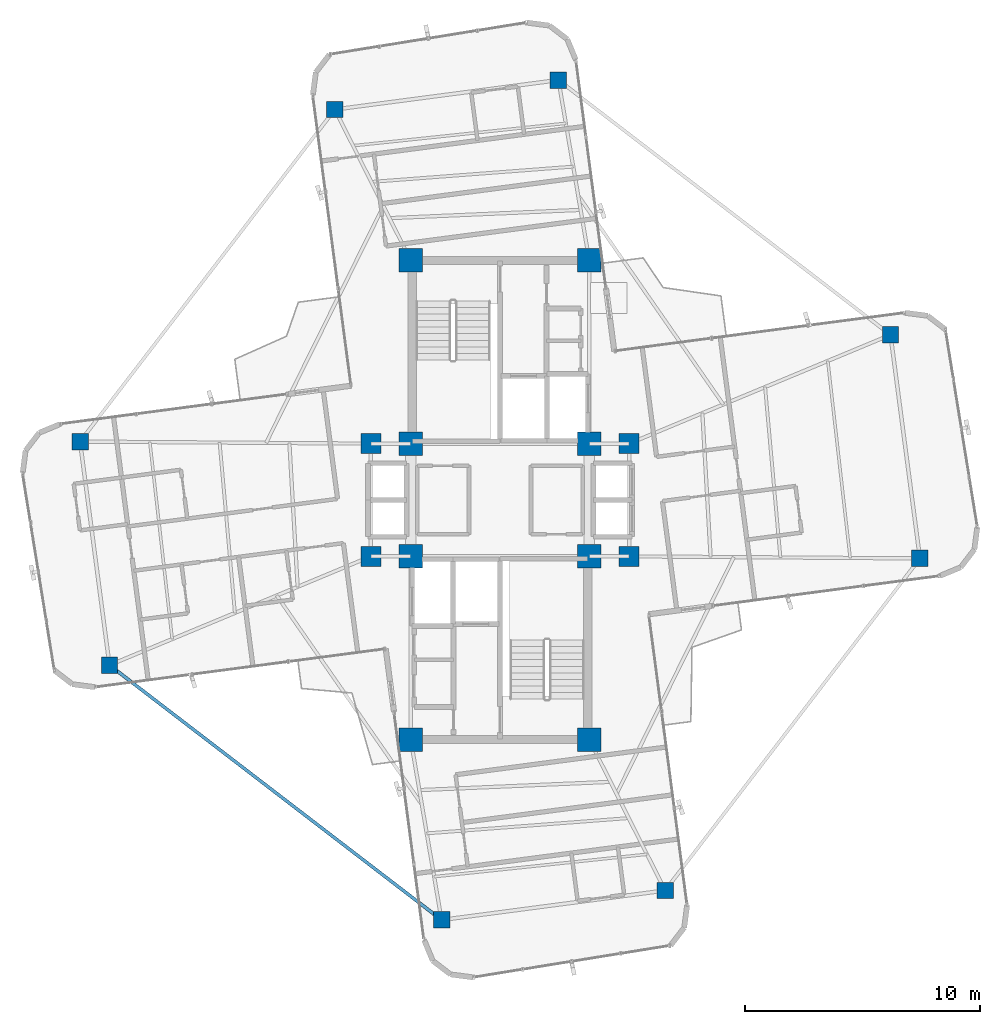
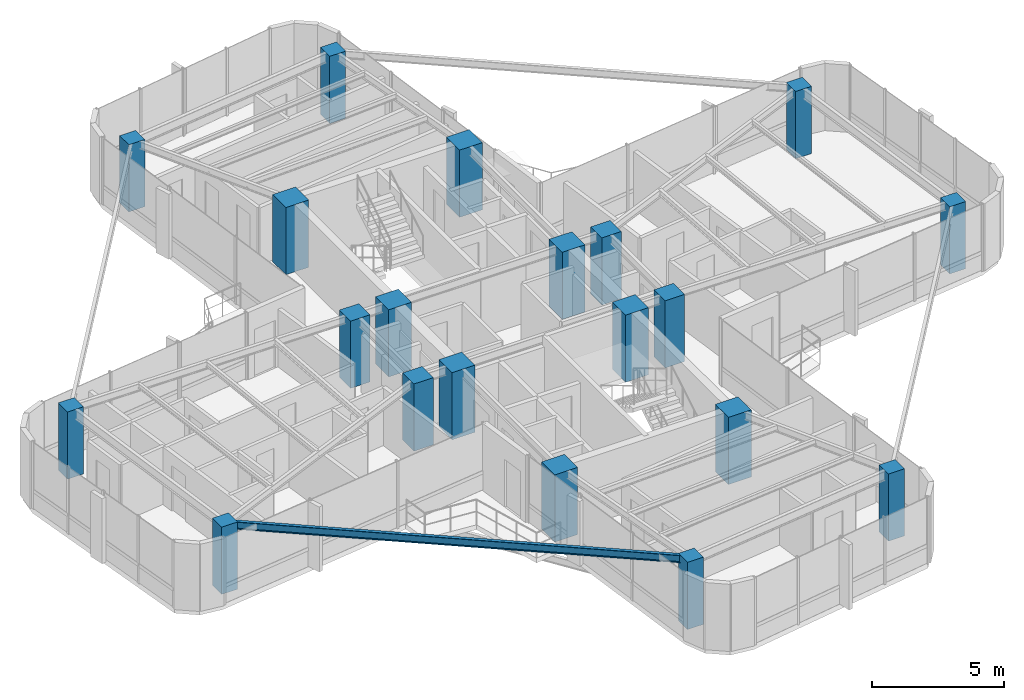
# One storey, part 1 of 21: 20 columns, 1 beam.
"""IFC4 building model written with IfcOpenShell, lengths in metres."""

from ifc_helpers import new_model, si_unit, direction, frame, origin, origin_2d, place, context, subcontext, project, spatial, rectangle, i_section, extrude, source, transform, mapped, material, material_profile, profile_set, type_object, element, save


model = new_model("IFC4")

# Units and contexts
model_context = context("Model", 3, precision=1e-05, world=origin(), true_north=direction((0.0, 1.0)))
body_context = subcontext(model_context, "Body", "Model", "MODEL_VIEW")
ifc_project = project(units=[si_unit("LENGTHUNIT", "METRE"), si_unit("AREAUNIT", "SQUARE_METRE"), si_unit("VOLUMEUNIT", "CUBIC_METRE"), si_unit("PLANEANGLEUNIT", "RADIAN"), si_unit("MASSUNIT", "GRAM", prefix="KILO")], contexts=[model_context])

# Site, building, storey
site_placement = place(None, origin())
site = spatial("IfcSite", under=ifc_project, at=site_placement, CompositionType="ELEMENT")
building_placement = place(site_placement, origin())
building = spatial("IfcBuilding", under=site, at=building_placement, Name="Sahyath Konkavel Grand Hotel", CompositionType="ELEMENT")
storey_placement = place(building_placement, frame((0.0, 0.0, 209.85009765625)))
storey = spatial("IfcBuildingStorey", under=building, at=storey_placement, Name="L58", CompositionType="ELEMENT", Elevation=209.85009765625)

# Columns
ifc_material_1 = material(Name="Concrete C50/60", Category="concrete")
ifc_material_profile_1 = material_profile(ifc_material_1, rectangle(XDim=1.0, YDim=1.0, at=origin_2d()), Name="RC 1000x1000")
ifc_profile_set_1 = profile_set([ifc_material_profile_1], Name="Concrete C50/60")
column_type_1 = type_object("IfcColumnType", Name="COL-RC1000", PredefinedType="COLUMN", material=ifc_profile_set_1)
shared_shape_1 = source(origin(), body_context, "Body", "SweptSolid", [
    extrude(rectangle(XDim=1.0, YDim=1.0, at=origin_2d()), origin(), (0.0, 0.0, 1.0), 3.10986328125),
])
for number, where, z_axis, x_axis, name in (
    (1, (-3.800048828125, 2.39990234375, 0.0), (0.0, 0.0, 1.0), (1.0, 0.0, 0.0), "L58 Core Boundary Column NC-SW"),
    (2, (3.800048828125, 2.39990234375, 0.0), (0.0, 0.0, 1.0), (1.0, 0.0, 0.0), "L58 Core Boundary Column NC-SE"),
    (3, (-3.800048828125, 10.199951171875, 0.0), (0.0, 0.0, 1.0), (1.0, 0.0, 0.0), "L58 Core Boundary Column NC-NW"),
    (4, (3.800048828125, 10.199951171875, 0.0), (0.0, 0.0, 1.0), (1.0, 0.0, 0.0), "L58 Core Boundary Column NC-NE"),
    (5, (-3.800048828125, -2.39990234375, 0.0), (0.0, 0.0, 1.0), (1.0, 0.0, 0.0), "L58 Core Boundary Column SC-NW"),
    (6, (3.800048828125, -2.39990234375, 0.0), (0.0, 0.0, 1.0), (1.0, 0.0, 0.0), "L58 Core Boundary Column SC-NE"),
    (7, (-3.800048828125, -10.199951171875, 0.0), (0.0, 0.0, 1.0), (1.0, 0.0, 0.0), "L58 Core Boundary Column SC-SW"),
    (8, (3.800048828125, -10.199951171875, 0.0), (0.0, 0.0, 1.0), (1.0, 0.0, 0.0), "L58 Core Boundary Column SC-SE"),
):
    element("IfcColumn", number, at=place(storey_placement, frame(where, z_axis=z_axis, x_axis=x_axis)), inside=storey, type_object=column_type_1, Name=name, PredefinedType="COLUMN", context=body_context, shape_type="MappedRepresentation", body=[
        mapped(shared_shape_1, transform((0.0, 0.0, 0.0), scale=1.0)),
    ])
ifc_material_2 = material(Name="Concrete C40/50", Category="concrete")
ifc_material_profile_2 = material_profile(ifc_material_2, rectangle(XDim=0.85009765625, YDim=0.85009765625, at=origin_2d()), Name="RC 850x850")
ifc_profile_set_2 = profile_set([ifc_material_profile_2], Name="Concrete C40/50")
column_type_2 = type_object("IfcColumnType", Name="COL-RC850", PredefinedType="COLUMN", material=ifc_profile_set_2)
shared_shape_2 = source(origin(), body_context, "Body", "SweptSolid", [
    extrude(rectangle(XDim=0.85009765625, YDim=0.85009765625, at=origin_2d()), origin(), (0.0, 0.0, 1.0), 3.10986328125),
])
for number, where, z_axis, x_axis, name in (
    (9, (5.5, 2.39990234375, 0.0), (0.0, 0.0, 1.0), (1.0, 0.0, 0.0), "L58 Central Spine Column HB-NE"),
    (10, (-5.5, 2.39990234375, 0.0), (0.0, 0.0, 1.0), (1.0, 0.0, 0.0), "L58 Central Spine Column HB-NW"),
    (11, (5.5, -2.39990234375, 0.0), (0.0, 0.0, 1.0), (1.0, 0.0, 0.0), "L58 Central Spine Column HB-SE"),
    (12, (-5.5, -2.39990234375, 0.0), (0.0, 0.0, 1.0), (1.0, 0.0, 0.0), "L58 Central Spine Column HB-SW"),
):
    element("IfcColumn", number, at=place(storey_placement, frame(where, z_axis=z_axis, x_axis=x_axis)), inside=storey, type_object=column_type_2, Name=name, PredefinedType="COLUMN", context=body_context, shape_type="MappedRepresentation", body=[
        mapped(shared_shape_2, transform((0.0, 0.0, 0.0), scale=1.0)),
    ])
ifc_material_profile_3 = material_profile(ifc_material_2, rectangle(XDim=0.699951171875, YDim=0.699951171875, at=origin_2d()), Name="RC 700x700")
ifc_profile_set_3 = profile_set([ifc_material_profile_3], Name="Concrete C40/50")
column_type_3 = type_object("IfcColumnType", Name="COL-RC700", PredefinedType="COLUMN", material=ifc_profile_set_3)
shared_shape_3 = source(origin(), body_context, "Body", "SweptSolid", [
    extrude(rectangle(XDim=0.699951171875, YDim=0.699951171875, at=origin_2d()), origin(), (0.0, 0.0, 1.0), 3.10986328125),
])
for number, where, z_axis, x_axis, name in (
    (13, (17.877685546875, -2.48779296875, 0.0), (0.0, 0.0, 1.0), (1.0, 0.0, 0.0), "L58 Cruciform Wing Column WC-EA"),
    (14, (16.62451171875, 7.030029296875, 0.0), (0.0, 0.0, 1.0), (1.0, 0.0, 0.0), "L58 Cruciform Wing Column WC-EB"),
    (15, (2.48779296875, 17.877685546875, 0.0), (0.0, 0.0, 1.0), (1.0, 0.0, 0.0), "L58 Cruciform Wing Column WC-NA"),
    (16, (-7.030029296875, 16.62451171875, 0.0), (0.0, 0.0, 1.0), (1.0, 0.0, 0.0), "L58 Cruciform Wing Column WC-NB"),
    (17, (-17.877685546875, 2.48779296875, 0.0), (0.0, 0.0, 1.0), (1.0, 0.0, 0.0), "L58 Cruciform Wing Column WC-WA"),
    (18, (-16.62451171875, -7.030029296875, 0.0), (0.0, 0.0, 1.0), (1.0, 0.0, 0.0), "L58 Cruciform Wing Column WC-WB"),
    (19, (-2.48779296875, -17.877685546875, 0.0), (0.0, 0.0, 1.0), (1.0, 0.0, 0.0), "L58 Cruciform Wing Column WC-SA"),
    (20, (7.030029296875, -16.62451171875, 0.0), (0.0, 0.0, 1.0), (1.0, 0.0, 0.0), "L58 Cruciform Wing Column WC-SB"),
):
    element("IfcColumn", number, at=place(storey_placement, frame(where, z_axis=z_axis, x_axis=x_axis)), inside=storey, type_object=column_type_3, Name=name, PredefinedType="COLUMN", context=body_context, shape_type="MappedRepresentation", body=[
        mapped(shared_shape_3, transform((0.0, 0.0, 0.0), scale=1.0)),
    ])

# Beam
ifc_material_3 = material(Name="Steel E350", Category="steel")
ifc_material_profile_4 = material_profile(ifc_material_3, i_section(OverallWidth=0.139892578125, OverallDepth=0.35009765625, WebThickness=0.008056640625, FlangeThickness=0.01416015625, FilletRadius=0.013916015625, at=origin_2d()), Name="ISMB 350")
ifc_profile_set_4 = profile_set([ifc_material_profile_4], Name="Steel E350")
beam_type = type_object("IfcBeamType", Name="BM-ISMB350", PredefinedType="BEAM", material=ifc_profile_set_4)
shared_shape_4 = source(origin(), body_context, "Body", "SweptSolid", [
    extrude(i_section(OverallWidth=0.139892578125, OverallDepth=0.35009765625, WebThickness=0.008056640625, FlangeThickness=0.01416015625, FilletRadius=0.013916015625, at=origin_2d()), origin(), (0.0, 0.0, 1.0), 17.819091796875),
])
beam_placement = place(storey_placement, frame((-16.62451171875, -7.030029296875, 2.934814453125), z_axis=(0.793348720932, -0.608767449027, 0.0), x_axis=(0.608767449027, 0.793348720932, 0.0)))
element("IfcBeam", 21, at=beam_placement, inside=storey, type_object=beam_type, Name="L58 Re-Entrant Tie Beam SW", PredefinedType="BEAM", context=body_context, shape_type="MappedRepresentation", body=[
    mapped(shared_shape_4, transform((0.0, 0.0, 0.0), scale=1.0)),
])

save(model, "model.ifc")
